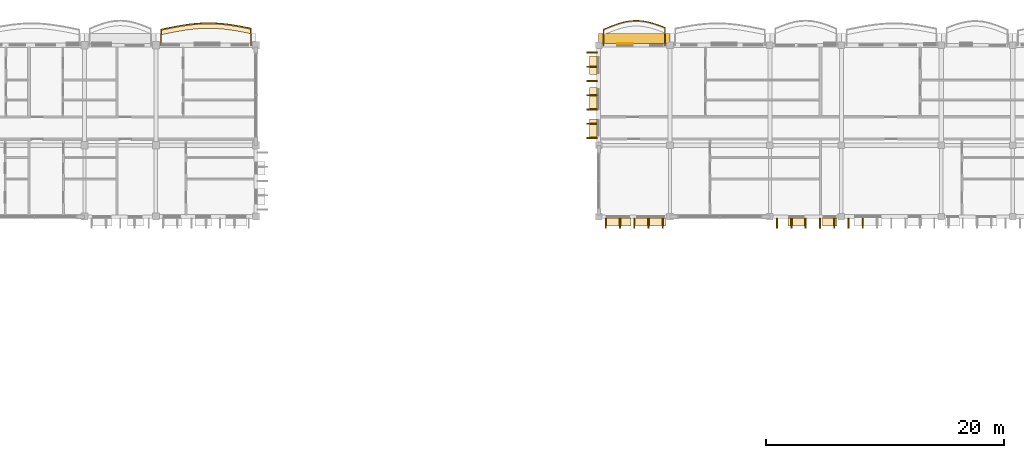
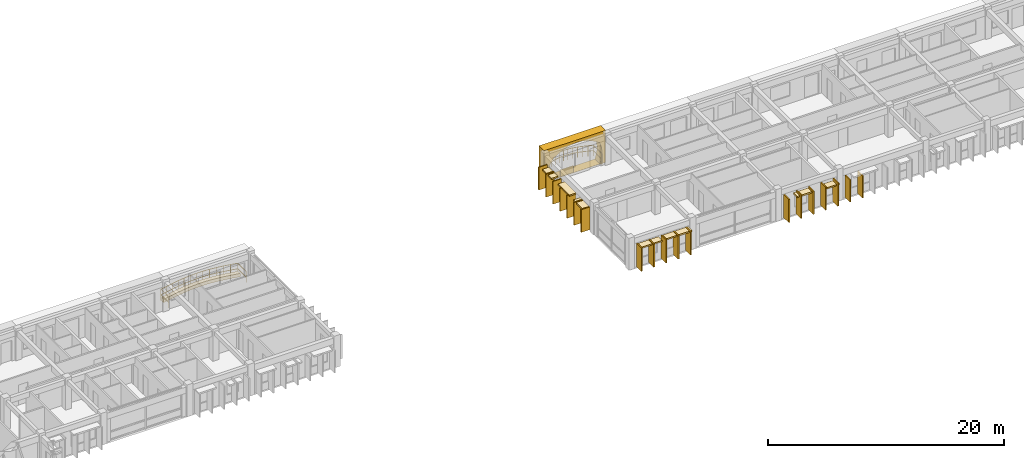
# One storey, part 57 of 68: 29 coverings, 2 railings.
"""IFC4 building model written with IfcOpenShell, lengths in metres."""

import ifcopenshell
import ifcopenshell.guid

model = None  # the IFC model being written
_history = None  # IfcOwnerHistory: only IFC2X3 demands one
_inside = {}  # id of a spatial element -> (the spatial element, [elements in it])
_under = {}  # id of a project, library or spatial element -> (it, [spatial elements below it])
_declared = {}  # id of a project -> (the project, [libraries it declares])
_typed = {}  # id of a type object -> (the type object, [elements of that type])
_made_of = {}  # id of a material, layer set ... -> (it, [elements and type objects made of it])


def new_model(schema):
    """Start an empty IFC model of exactly this schema.

    Asked for "IFC4X3", IfcOpenShell would pick the latest addendum, in which some entities
    have other attributes; the version numbers below select the first issue.
    IFC2X3 requires an IfcOwnerHistory on every rooted entity: one is made here for all.
    """
    global model, _history
    if schema == "IFC4X3":
        model = ifcopenshell.file(schema_version=(4, 3, 0, 0))
    else:
        model = ifcopenshell.file(schema=schema)
    _inside.clear()
    _under.clear()
    _declared.clear()
    _typed.clear()
    _made_of.clear()
    _history = None
    if model.schema == "IFC2X3":
        org = make("IfcOrganization", Name="unknown")
        user = make(
            "IfcPersonAndOrganization",
            ThePerson=make("IfcPerson", FamilyName="unknown"),
            TheOrganization=org,
        )
        app = make(
            "IfcApplication",
            ApplicationDeveloper=org,
            Version="unknown",
            ApplicationFullName="unknown",
            ApplicationIdentifier="unknown",
        )
        _history = make(
            "IfcOwnerHistory",
            OwningUser=user,
            OwningApplication=app,
            ChangeAction="ADDED",
            CreationDate=0,
        )
    return model


def make(cls, **values):
    """One entity of the class cls with the attributes given. An attribute that is None is left unset."""
    return model.create_entity(
        cls, **{name: value for name, value in values.items() if value is not None}
    )


def rooted(cls, **values):
    """An entity with a GlobalId (a new one), such as an element, a storey or a relation."""
    return make(cls, GlobalId=ifcopenshell.guid.new(), OwnerHistory=_history, **values)


def si_unit(unit_type, name, prefix=None):
    """IfcSIUnit, for example si_unit("LENGTHUNIT", "METRE", prefix="MILLI")."""
    return make("IfcSIUnit", UnitType=unit_type, Prefix=prefix, Name=name)


def assignment(units):
    """IfcUnitAssignment: the units of a project."""
    return None if units is None else make("IfcUnitAssignment", Units=units)


def point(xyz):
    """IfcCartesianPoint."""
    return None if xyz is None else make("IfcCartesianPoint", Coordinates=xyz)


def direction(xyz):
    """IfcDirection."""
    return None if xyz is None else make("IfcDirection", DirectionRatios=xyz)


def frame(location, z_axis=None, x_axis=None):
    """IfcAxis2Placement3D, a coordinate frame: its origin and axes. An axis left out is left unset."""
    return make(
        "IfcAxis2Placement3D",
        Location=point(location),
        Axis=direction(z_axis),
        RefDirection=direction(x_axis),
    )


def frame_2d(location, x_axis=None):
    """IfcAxis2Placement2D, a coordinate frame in the plane: its origin and x axis."""
    return make(
        "IfcAxis2Placement2D", Location=point(location), RefDirection=direction(x_axis)
    )


def origin():
    """The frame at (0, 0, 0) with its axes left unset."""
    return frame((0.0, 0.0, 0.0))


def origin_2d():
    """The frame at (0, 0) in the plane with its x axis left unset."""
    return frame_2d((0.0, 0.0))


def place(relative_to, where):
    """IfcLocalPlacement: puts the frame where relative to a parent placement (None: the world)."""
    return make(
        "IfcLocalPlacement", PlacementRelTo=relative_to, RelativePlacement=where
    )


def context(
    kind, dimensions, precision=None, world=None, true_north=None, identifier=None
):
    """IfcGeometricRepresentationContext, for example the 3D "Model" context."""
    return make(
        "IfcGeometricRepresentationContext",
        ContextIdentifier=identifier,
        ContextType=kind,
        CoordinateSpaceDimension=dimensions,
        Precision=precision,
        WorldCoordinateSystem=world,
        TrueNorth=true_north,
    )


def subcontext(parent, identifier, kind, view, scale=None):
    """IfcGeometricRepresentationSubContext, for example "Body" below "Model"."""
    return make(
        "IfcGeometricRepresentationSubContext",
        ContextIdentifier=identifier,
        ContextType=kind,
        ParentContext=parent,
        TargetScale=scale,
        TargetView=view,
    )


def project(units=None, contexts=None):
    """IfcProject with its units and contexts."""
    return rooted(
        "IfcProject",
        Name="project",
        RepresentationContexts=contexts,
        UnitsInContext=assignment(units),
    )


def spatial(cls, under=None, at=None, **own):
    """A site, building, storey or space (cls), placed at a placement, below another one or the project."""
    s = rooted(cls, ObjectPlacement=at, **own)
    if under is not None:
        _under.setdefault(under.id(), (under, []))[1].append(s)
    return s


def polyline(points):
    """IfcPolyline through the points."""
    return make("IfcPolyline", Points=[point(p) for p in points])


def profile(cls, at=None, kind="AREA", **sizes):
    """A parametric profile (cls). Its sizes go by their IFC names, for example OverallWidth=200.0."""
    return make(cls, ProfileType=kind, Position=at, **sizes)


def rectangle(**sizes):
    """IfcRectangleProfileDef."""
    return profile("IfcRectangleProfileDef", **sizes)


def outline(outer, holes=None, kind="AREA"):
    """IfcArbitraryClosedProfileDef: a profile drawn as a closed curve; with holes, ...WithVoids."""
    if holes is None:
        return make("IfcArbitraryClosedProfileDef", ProfileType=kind, OuterCurve=outer)
    return make(
        "IfcArbitraryProfileDefWithVoids",
        ProfileType=kind,
        OuterCurve=outer,
        InnerCurves=holes,
    )


def extrude(swept, where, along, depth):
    """IfcExtrudedAreaSolid: the profile swept, set in the frame where, extruded along a direction by depth."""
    return make(
        "IfcExtrudedAreaSolid",
        SweptArea=swept,
        Position=where,
        ExtrudedDirection=direction(along),
        Depth=depth,
    )


def shape(context_of_items, identifier, shape_type, items):
    """IfcShapeRepresentation: the items that make up one representation, for example the "Body"."""
    return make(
        "IfcShapeRepresentation",
        ContextOfItems=context_of_items,
        RepresentationIdentifier=identifier,
        RepresentationType=shape_type,
        Items=items,
    )


def material(Name=None, Category=None):
    """IfcMaterial."""
    return make("IfcMaterial", Name=Name, Category=Category)


def layer(
    of_material, thickness, ventilated=None, Name=None, Category=None, Priority=None
):
    """IfcMaterialLayer: one layer of a wall or slab, of a material (None: an air gap)."""
    return make(
        "IfcMaterialLayer",
        Material=of_material,
        LayerThickness=thickness,
        IsVentilated=ventilated,
        Name=Name,
        Category=Category,
        Priority=Priority,
    )


def layer_set(layers, Name=None):
    """IfcMaterialLayerSet."""
    return make("IfcMaterialLayerSet", MaterialLayers=layers, LayerSetName=Name)


def made_of(thing, what):
    """Note that an element or type object is made of a material, layer set ...; save() writes the relation."""
    if what is not None:
        _made_of.setdefault(what.id(), (what, []))[1].append(thing)
    return thing


def type_object(cls, material=None, **own):
    """A type object (cls), such as IfcWallType, which elements share."""
    return made_of(rooted(cls, **own), material)


def element(
    cls,
    number,
    at=None,
    inside=None,
    cuts=None,
    type_object=None,
    material=None,
    context=None,
    identifier="Body",
    shape_type=None,
    held_by="IfcProductDefinitionShape",
    body=None,
    shapes=None,
    **own,
):
    """One element of the class cls, such as IfcWall. Its Tag is "e" and its number.

    at: its placement. inside: the storey or other place that contains it. cuts: it is an
    opening in that element (IfcRelVoidsElement). A single representation is given by context,
    identifier, shape_type and body (its items); several are given by shapes. held_by: the class
    of the entity that holds the representations. save() writes the other relations.
    """
    e = rooted(cls, Tag="e%d" % number, ObjectPlacement=at, **own)
    if body is not None:
        shapes = [shape(context, identifier, shape_type, body)]
    if shapes is not None:
        e.Representation = make(held_by, Representations=shapes)
    if inside is not None:
        _inside.setdefault(inside.id(), (inside, []))[1].append(e)
    if cuts is not None:
        rooted(
            "IfcRelVoidsElement", RelatingBuildingElement=cuts, RelatedOpeningElement=e
        )
    if type_object is not None:
        _typed.setdefault(type_object.id(), (type_object, []))[1].append(e)
    return made_of(e, material)


def aggregate(whole, parts):
    """IfcRelAggregates: a whole, such as a stair, and the parts it consists of."""
    return rooted("IfcRelAggregates", RelatingObject=whole, RelatedObjects=parts)


def save(model, path):
    """Write the relations noted so far, then the file.

    IfcRelAggregates (storeys below a building ...), IfcRelContainedInSpatialStructure (elements
    in a storey), IfcRelDefinesByType, IfcRelAssociatesMaterial and IfcRelDeclares: one each for
    every whole, place, type object, material and project.
    """
    for whole, parts in _under.values():
        aggregate(whole, parts)
    for where, things in _inside.values():
        rooted(
            "IfcRelContainedInSpatialStructure",
            RelatedElements=things,
            RelatingStructure=where,
        )
    for kind, things in _typed.values():
        rooted("IfcRelDefinesByType", RelatedObjects=things, RelatingType=kind)
    for what, things in _made_of.values():
        rooted("IfcRelAssociatesMaterial", RelatedObjects=things, RelatingMaterial=what)
    for by, libraries in _declared.values():
        rooted("IfcRelDeclares", RelatingContext=by, RelatedDefinitions=libraries)
    model.write(path)


model = new_model("IFC4")

# Units and contexts
model_context = context("Model", 3, precision=1e-05, world=origin(), true_north=direction((0.0, 1.0)))
body_context = subcontext(model_context, "Body", "Model", "MODEL_VIEW")
ifc_project = project(units=[si_unit("LENGTHUNIT", "METRE"), si_unit("AREAUNIT", "SQUARE_METRE"), si_unit("VOLUMEUNIT", "CUBIC_METRE"), si_unit("PLANEANGLEUNIT", "RADIAN"), si_unit("MASSUNIT", "GRAM", prefix="KILO"), si_unit("THERMODYNAMICTEMPERATUREUNIT", "KELVIN")], contexts=[model_context])

# Site, building, storey
site_placement = place(None, origin())
site = spatial("IfcSite", under=ifc_project, at=site_placement, CompositionType="ELEMENT")
building_placement = place(site_placement, origin())
building = spatial("IfcBuilding", under=site, at=building_placement, Name="Thalorik Housing Commons", CompositionType="ELEMENT")
storey_placement = place(building_placement, frame((0.0, 0.0, 24.60009765625)))
storey = spatial("IfcBuildingStorey", under=building, at=storey_placement, Name="L07", CompositionType="ELEMENT", Elevation=24.60009765625)

# Coverings
ifc_material_1 = material(Name="Precast concrete C40/50", Category="concrete")
ifc_layer_1 = layer(ifc_material_1, 0.85009765625, Name="Precast concrete C40/50", Category="concrete")
ifc_layer_set_1 = layer_set([ifc_layer_1], Name="Precast concrete C40/50")
covering_type_1 = type_object("IfcCoveringType", Name="ARC-CLD-CUSH-850", PredefinedType="CLADDING", material=ifc_layer_set_1)
covering_1_placement = place(storey_placement, frame((83.39990234375, 124.155029296875, 0.0), z_axis=(0.0, 0.0, 1.0), x_axis=(-1.0, 0.0, 0.0)))
element("IfcCovering", 1, at=covering_1_placement, inside=storey, type_object=covering_type_1, Name="L07 White Precast Curved Cushion Bay Frame 2577", PredefinedType="CLADDING", context=body_context, shape_type="SweptSolid", body=[
    extrude(outline(polyline([(-3.0, 0.0), (3.0, 0.0), (3.0, 3.300048828125), (-3.0, 3.300048828125), (-3.0, 0.0)]), holes=[polyline([(2.0400390625, 0.02490234375), (2.3232421875, 0.390869140625), (2.493408203125, 0.756591796875), (2.550048828125, 1.12255859375), (2.493408203125, 1.48828125), (2.3232421875, 1.854248046875), (2.0400390625, 2.219970703125), (1.66748046875, 2.469482421875), (1.294921875, 2.66552734375), (0.922607421875, 2.824462890625), (0.550048828125, 2.9423828125), (0.177490234375, 3.015380859375), (-0.195068359375, 3.0400390625), (-0.5673828125, 3.015380859375), (-0.93994140625, 2.9423828125), (-1.3125, 2.824462890625), (-1.68505859375, 2.66552734375), (-2.0576171875, 2.469482421875), (-2.429931640625, 2.219970703125), (-2.55029296875, 1.854248046875), (-2.62255859375, 1.48828125), (-2.646484375, 1.12255859375), (-2.62255859375, 0.756591796875), (-2.55029296875, 0.390869140625), (-2.429931640625, 0.02490234375), (2.0400390625, 0.02490234375)])]), frame((0.0, 0.425048828125, 0.0), z_axis=(0.0, -1.0, 0.0), x_axis=(1.0, 0.0, 0.0)), (0.0, 0.0, 1.0), 0.85009765625),
])
ifc_layer_2 = layer(ifc_material_1, 0.85009765625, Name="Precast concrete C40/50", Category="concrete")
ifc_layer_set_2 = layer_set([ifc_layer_2], Name="Precast concrete C40/50")
covering_type_2 = type_object("IfcCoveringType", Name="ARC-CLD-FIN-850", PredefinedType="CLADDING", material=ifc_layer_set_2)
for number, where, z_axis, x_axis, name in (
    (2, (79.844970703125, 123.0, 0.0400390625), (0.0, 0.0, 1.0), (0.0, -1.0, 0.0), "L07 Courtyard Precast Vertical Brise-Soleil Fin 2579"),
    (3, (79.844970703125, 121.800048828125, 0.0400390625), (0.0, 0.0, 1.0), (0.0, -1.0, 0.0), "L07 Courtyard Precast Vertical Brise-Soleil Fin 2580"),
    (4, (79.844970703125, 120.60009765625, 0.0400390625), (0.0, 0.0, 1.0), (0.0, -1.0, 0.0), "L07 Courtyard Precast Vertical Brise-Soleil Fin 2581"),
    (5, (79.844970703125, 119.39990234375, 0.0400390625), (0.0, 0.0, 1.0), (0.0, -1.0, 0.0), "L07 Courtyard Precast Vertical Brise-Soleil Fin 2582"),
    (6, (79.844970703125, 118.199951171875, 0.0400390625), (0.0, 0.0, 1.0), (0.0, -1.0, 0.0), "L07 Courtyard Precast Vertical Brise-Soleil Fin 2583"),
    (7, (79.844970703125, 117.0, 0.0400390625), (0.0, 0.0, 1.0), (0.0, -1.0, 0.0), "L07 Courtyard Precast Vertical Brise-Soleil Fin 2584"),
    (8, (79.844970703125, 115.800048828125, 0.0400390625), (0.0, 0.0, 1.0), (0.0, -1.0, 0.0), "L07 Courtyard Precast Vertical Brise-Soleil Fin 2585"),
):
    element("IfcCovering", number, at=place(storey_placement, frame(where, z_axis=z_axis, x_axis=x_axis)), inside=storey, type_object=covering_type_2, Name=name, PredefinedType="CLADDING", context=body_context, shape_type="SweptSolid", body=[
        extrude(rectangle(XDim=0.110107421875, YDim=0.85009765625, at=origin_2d()), origin(), (0.0, 0.0, 1.0), 2.344970703125),
    ])
for number, where, z_axis, x_axis, name in (
    (9, (81.0, 108.64501953125, 0.039794921875), (0.0, 0.0, 1.0), (1.0, 0.0, 0.0), "L07 Courtyard Precast Vertical Brise-Soleil Fin 2589"),
    (10, (82.199951171875, 108.64501953125, 0.039794921875), (0.0, 0.0, 1.0), (1.0, 0.0, 0.0), "L07 Courtyard Precast Vertical Brise-Soleil Fin 2590"),
    (11, (83.39990234375, 108.64501953125, 0.039794921875), (0.0, 0.0, 1.0), (1.0, 0.0, 0.0), "L07 Courtyard Precast Vertical Brise-Soleil Fin 2591"),
    (12, (84.60009765625, 108.64501953125, 0.039794921875), (0.0, 0.0, 1.0), (1.0, 0.0, 0.0), "L07 Courtyard Precast Vertical Brise-Soleil Fin 2592"),
    (13, (85.800048828125, 108.64501953125, 0.039794921875), (0.0, 0.0, 1.0), (1.0, 0.0, 0.0), "L07 Courtyard Precast Vertical Brise-Soleil Fin 2593"),
    (14, (95.39990234375, 108.64501953125, 0.039794921875), (0.0, 0.0, 1.0), (1.0, 0.0, 0.0), "L07 Courtyard Precast Vertical Brise-Soleil Fin 2596"),
    (15, (96.60009765625, 108.64501953125, 0.039794921875), (0.0, 0.0, 1.0), (1.0, 0.0, 0.0), "L07 Courtyard Precast Vertical Brise-Soleil Fin 2597"),
    (16, (97.800048828125, 108.64501953125, 0.039794921875), (0.0, 0.0, 1.0), (1.0, 0.0, 0.0), "L07 Courtyard Precast Vertical Brise-Soleil Fin 2598"),
    (17, (99.0, 108.64501953125, 0.039794921875), (0.0, 0.0, 1.0), (1.0, 0.0, 0.0), "L07 Courtyard Precast Vertical Brise-Soleil Fin 2599"),
    (18, (100.199951171875, 108.64501953125, 0.039794921875), (0.0, 0.0, 1.0), (1.0, 0.0, 0.0), "L07 Courtyard Precast Vertical Brise-Soleil Fin 2600"),
):
    element("IfcCovering", number, at=place(storey_placement, frame(where, z_axis=z_axis, x_axis=x_axis)), inside=storey, type_object=covering_type_2, Name=name, PredefinedType="CLADDING", context=body_context, shape_type="SweptSolid", body=[
        extrude(rectangle(XDim=0.110107421875, YDim=0.85009765625, at=origin_2d()), origin(), (0.0, 0.0, 1.0), 2.39501953125),
    ])
for number, where, z_axis, x_axis, name in (
    (19, (101.39990234375, 108.64501953125, 0.0400390625), (0.0, 0.0, 1.0), (1.0, 0.0, 0.0), "L07 Courtyard Precast Vertical Brise-Soleil Fin 2603"),
    (20, (102.60009765625, 108.64501953125, 0.0400390625), (0.0, 0.0, 1.0), (1.0, 0.0, 0.0), "L07 Courtyard Precast Vertical Brise-Soleil Fin 2604"),
):
    element("IfcCovering", number, at=place(storey_placement, frame(where, z_axis=z_axis, x_axis=x_axis)), inside=storey, type_object=covering_type_2, Name=name, PredefinedType="CLADDING", context=body_context, shape_type="SweptSolid", body=[
        extrude(rectangle(XDim=0.110107421875, YDim=0.85009765625, at=origin_2d()), origin(), (0.0, 0.0, 1.0), 2.294921875),
    ])
ifc_layer_3 = layer(ifc_material_1, 0.64990234375, Name="Precast concrete C40/50", Category="concrete")
ifc_layer_set_3 = layer_set([ifc_layer_3], Name="Precast concrete C40/50")
covering_type_3 = type_object("IfcCoveringType", Name="ARC-CLD-HOOD-650", PredefinedType="CLADDING", material=ifc_layer_set_3)
covering_2_placement = place(storey_placement, frame((79.945068359375, 121.91748046875, 2.14013671875), z_axis=(0.0, 0.0, 1.0), x_axis=(0.0, -1.0, 0.0)))
element("IfcCovering", 21, at=covering_2_placement, inside=storey, type_object=covering_type_3, Name="L07 Courtyard Precast Window Sun-Hood 2586", PredefinedType="CLADDING", context=body_context, shape_type="SweptSolid", body=[
    extrude(rectangle(XDim=1.56005859375, YDim=0.64990234375, at=origin_2d()), origin(), (0.0, 0.0, 1.0), 0.139892578125),
])
covering_3_placement = place(storey_placement, frame((79.945068359375, 119.072509765625, 2.25), z_axis=(0.0, 0.0, 1.0), x_axis=(0.0, -1.0, 0.0)))
element("IfcCovering", 22, at=covering_3_placement, inside=storey, type_object=covering_type_3, Name="L07 Courtyard Precast Window Sun-Hood 2587", PredefinedType="CLADDING", context=body_context, shape_type="SweptSolid", body=[
    extrude(rectangle(XDim=1.919921875, YDim=0.64990234375, at=origin_2d()), origin(), (0.0, 0.0, 1.0), 0.139892578125),
])
covering_4_placement = place(storey_placement, frame((79.945068359375, 116.64990234375, 2.18994140625), z_axis=(0.0, 0.0, 1.0), x_axis=(0.0, -1.0, 0.0)))
element("IfcCovering", 23, at=covering_4_placement, inside=storey, type_object=covering_type_3, Name="L07 Courtyard Precast Window Sun-Hood 2588", PredefinedType="CLADDING", context=body_context, shape_type="SweptSolid", body=[
    extrude(rectangle(XDim=1.5400390625, YDim=0.64990234375, at=origin_2d()), origin(), (0.0, 0.0, 1.0), 0.139892578125),
])
covering_5_placement = place(storey_placement, frame((82.030029296875, 108.7451171875, 2.22998046875), z_axis=(0.0, 0.0, 1.0), x_axis=(1.0, 0.0, 0.0)))
element("IfcCovering", 24, at=covering_5_placement, inside=storey, type_object=covering_type_3, Name="L07 Courtyard Precast Window Sun-Hood 2594", PredefinedType="CLADDING", context=body_context, shape_type="SweptSolid", body=[
    extrude(rectangle(XDim=2.159912109375, YDim=0.64990234375, at=origin_2d()), origin(), (0.0, 0.0, 1.0), 0.139892578125),
])
covering_6_placement = place(storey_placement, frame((84.77001953125, 108.7451171875, 2.25), z_axis=(0.0, 0.0, 1.0), x_axis=(1.0, 0.0, 0.0)))
element("IfcCovering", 25, at=covering_6_placement, inside=storey, type_object=covering_type_3, Name="L07 Courtyard Precast Window Sun-Hood 2595", PredefinedType="CLADDING", context=body_context, shape_type="SweptSolid", body=[
    extrude(rectangle(XDim=2.52001953125, YDim=0.64990234375, at=origin_2d()), origin(), (0.0, 0.0, 1.0), 0.139892578125),
])
covering_7_placement = place(storey_placement, frame((97.02001953125, 108.7451171875, 2.14013671875), z_axis=(0.0, 0.0, 1.0), x_axis=(1.0, 0.0, 0.0)))
element("IfcCovering", 26, at=covering_7_placement, inside=storey, type_object=covering_type_3, Name="L07 Courtyard Precast Window Sun-Hood 2601", PredefinedType="CLADDING", context=body_context, shape_type="SweptSolid", body=[
    extrude(rectangle(XDim=1.43994140625, YDim=0.64990234375, at=origin_2d()), origin(), (0.0, 0.0, 1.0), 0.139892578125),
])
covering_8_placement = place(storey_placement, frame((99.830078125, 108.7451171875, 2.0400390625), z_axis=(0.0, 0.0, 1.0), x_axis=(1.0, 0.0, 0.0)))
element("IfcCovering", 27, at=covering_8_placement, inside=storey, type_object=covering_type_3, Name="L07 Courtyard Precast Window Sun-Hood 2602", PredefinedType="CLADDING", context=body_context, shape_type="SweptSolid", body=[
    extrude(rectangle(XDim=1.239990234375, YDim=0.64990234375, at=origin_2d()), origin(), (0.0, 0.0, 1.0), 0.139892578125),
])
ifc_material_2 = material(Name="Terracotta red mineral fibre-cement panel", Category="masonry")
ifc_layer_4 = layer(ifc_material_2, 0.054931640625, Name="Terracotta red mineral fibre-cement panel", Category="masonry")
ifc_layer_set_4 = layer_set([ifc_layer_4], Name="Terracotta red mineral fibre-cement panel")
covering_type_4 = type_object("IfcCoveringType", Name="ARC-CLD-RED-55", PredefinedType="CLADDING", material=ifc_layer_set_4)
covering_9_placement = place(storey_placement, frame((82.635009765625, 123.762451171875, 0.0498046875), z_axis=(0.0, 0.0, 1.0), x_axis=(-1.0, 0.0, 0.0)))
element("IfcCovering", 28, at=covering_9_placement, inside=storey, type_object=covering_type_4, Name="L07 De Stijl Recessed Window Spandrel 2578", PredefinedType="CLADDING", context=body_context, shape_type="SweptSolid", body=[
    extrude(rectangle(XDim=1.300048828125, YDim=0.054931640625, at=origin_2d()), origin(), (0.0, 0.0, 1.0), 0.699951171875),
])
ifc_material_3 = material(Name="Planted vegetated substrate and terracotta trough", Category="masonry")
ifc_layer_5 = layer(ifc_material_3, 0.340087890625, Name="Planted vegetated substrate and terracotta trough", Category="masonry")
ifc_layer_set_5 = layer_set([ifc_layer_5], Name="Planted vegetated substrate and terracotta trough")
covering_type_5 = type_object("IfcCoveringType", Name="ARC-COV-PLANTER", PredefinedType="USERDEFINED", material=ifc_layer_set_5)
covering_10_placement = place(storey_placement, origin())
element("IfcCovering", 29, at=covering_10_placement, inside=storey, type_object=covering_type_5, Name="L07 Balcony Slab-Edge Planted Trough 5367", ObjectType="PLANTER", PredefinedType="USERDEFINED", context=body_context, shape_type="SweptSolid", body=[
    extrude(outline(polyline([(51.179931640625, 124.952880859375), (50.550048828125, 125.08056640625), (49.919921875, 125.19580078125), (49.2900390625, 125.29052734375), (48.659912109375, 125.359130859375), (48.030029296875, 125.396728515625), (47.39990234375, 125.401123046875), (46.77001953125, 125.3720703125), (46.139892578125, 125.3115234375), (45.510009765625, 125.2236328125), (44.8798828125, 125.114501953125), (44.25, 124.9912109375), (43.6201171875, 124.8623046875), (43.6201171875, 124.482177734375), (44.25, 124.611328125), (44.8798828125, 124.734619140625), (45.510009765625, 124.84375), (46.139892578125, 124.931396484375), (46.77001953125, 124.991943359375), (47.39990234375, 125.02099609375), (48.030029296875, 125.0166015625), (48.659912109375, 124.97900390625), (49.2900390625, 124.91064453125), (49.919921875, 124.815673828125), (50.550048828125, 124.70068359375), (51.179931640625, 124.572998046875), (51.179931640625, 124.952880859375)])), origin(), (0.0, 0.0, 1.0), 0.33984375),
])

# Railings
ifc_material_4 = material(Name="Steel S355", Category="steel")
railing_type_1 = type_object("IfcRailingType", Name="ARC-RL-BAL-112", PredefinedType="BALUSTRADE", material=ifc_material_4)
railing_1_placement = place(storey_placement, frame((85.97998046875, 123.60009765625, 0.0)))
element("IfcRailing", 30, at=railing_1_placement, inside=storey, type_object=railing_type_1, Name="L07 Cushion Balcony Guardrail 186", PredefinedType="BALUSTRADE", context=body_context, shape_type="SweptSolid", body=[
    extrude(rectangle(XDim=0.050048828125, YDim=0.050048828125, at=origin_2d()), frame((0.0, 0.0, 1.09521484375), z_axis=(0.0, 1.0, 0.0), x_axis=(-1.0, 0.0, 0.0)), (0.0, 0.0, 1.0), 1.481201171875),
    extrude(rectangle(XDim=0.050048828125, YDim=0.050048828125, at=origin_2d()), frame((0.0, 0.0, 0.53515625), z_axis=(0.0, 1.0, 0.0), x_axis=(-1.0, 0.0, 0.0)), (0.0, 0.0, 1.0), 1.481201171875),
    extrude(rectangle(XDim=0.050048828125, YDim=0.050048828125, at=origin_2d()), frame((0.0, 1.481201171875, 1.09521484375), z_axis=(-0.934462513902, 0.35606152574, 0.0), x_axis=(-0.35606152574, -0.934462513902, 0.0)), (0.0, 0.0, 1.0), 0.460205078125),
    extrude(rectangle(XDim=0.050048828125, YDim=0.050048828125, at=origin_2d()), frame((0.0, 1.481201171875, 0.53515625), z_axis=(-0.934462513902, 0.35606152574, 0.0), x_axis=(-0.35606152574, -0.934462513902, 0.0)), (0.0, 0.0, 1.0), 0.460205078125),
    extrude(rectangle(XDim=0.050048828125, YDim=0.050048828125, at=origin_2d()), frame((-0.429931640625, 1.64501953125, 1.09521484375), z_axis=(-0.945081740918, 0.326834060317, 0.0), x_axis=(-0.326834060317, -0.945081740918, 0.0)), (0.0, 0.0, 1.0), 0.454833984375),
    extrude(rectangle(XDim=0.050048828125, YDim=0.050048828125, at=origin_2d()), frame((-0.429931640625, 1.64501953125, 0.53515625), z_axis=(-0.945081740918, 0.326834060317, 0.0), x_axis=(-0.326834060317, -0.945081740918, 0.0)), (0.0, 0.0, 1.0), 0.454833984375),
    extrude(rectangle(XDim=0.050048828125, YDim=0.050048828125, at=origin_2d()), frame((-0.85986328125, 1.793701171875, 1.09521484375), z_axis=(-0.960862679693, 0.277025108561, 0.0), x_axis=(-0.277025108561, -0.960862679693, 0.0)), (0.0, 0.0, 1.0), 0.44775390625),
    extrude(rectangle(XDim=0.050048828125, YDim=0.050048828125, at=origin_2d()), frame((-0.85986328125, 1.793701171875, 0.53515625), z_axis=(-0.960862679693, 0.277025108561, 0.0), x_axis=(-0.277025108561, -0.960862679693, 0.0)), (0.0, 0.0, 1.0), 0.44775390625),
    extrude(rectangle(XDim=0.050048828125, YDim=0.050048828125, at=origin_2d()), frame((-1.2900390625, 1.917724609375, 1.09521484375), z_axis=(-0.978632254484, 0.205618361249, 0.0), x_axis=(-0.205618361249, -0.978632254484, 0.0)), (0.0, 0.0, 1.0), 0.439208984375),
    extrude(rectangle(XDim=0.050048828125, YDim=0.050048828125, at=origin_2d()), frame((-1.2900390625, 1.917724609375, 0.53515625), z_axis=(-0.978632254484, 0.205618361249, 0.0), x_axis=(-0.205618361249, -0.978632254484, 0.0)), (0.0, 0.0, 1.0), 0.439208984375),
    extrude(rectangle(XDim=0.050048828125, YDim=0.050048828125, at=origin_2d()), frame((-1.719970703125, 2.008056640625, 1.09521484375), z_axis=(-0.99322738707, 0.116186735796, 0.0), x_axis=(-0.116186735796, -0.99322738707, 0.0)), (0.0, 0.0, 1.0), 0.432861328125),
    extrude(rectangle(XDim=0.050048828125, YDim=0.050048828125, at=origin_2d()), frame((-1.719970703125, 2.008056640625, 0.53515625), z_axis=(-0.99322738707, 0.116186735796, 0.0), x_axis=(-0.116186735796, -0.99322738707, 0.0)), (0.0, 0.0, 1.0), 0.432861328125),
    extrude(rectangle(XDim=0.050048828125, YDim=0.050048828125, at=origin_2d()), frame((-2.14990234375, 2.058349609375, 1.09521484375), z_axis=(-0.999882615907, 0.015321697293, 0.0), x_axis=(-0.015321697293, -0.999882615907, 0.0)), (0.0, 0.0, 1.0), 0.43017578125),
    extrude(rectangle(XDim=0.050048828125, YDim=0.050048828125, at=origin_2d()), frame((-2.14990234375, 2.058349609375, 0.53515625), z_axis=(-0.999882615907, 0.015321697293, 0.0), x_axis=(-0.015321697293, -0.999882615907, 0.0)), (0.0, 0.0, 1.0), 0.43017578125),
    extrude(rectangle(XDim=0.050048828125, YDim=0.050048828125, at=origin_2d()), frame((-2.580078125, 2.06494140625, 1.09521484375), z_axis=(-0.996148763572, -0.087679192705, 0.0), x_axis=(0.087679192705, -0.996148763572, 0.0)), (0.0, 0.0, 1.0), 0.431640625),
    extrude(rectangle(XDim=0.050048828125, YDim=0.050048828125, at=origin_2d()), frame((-2.580078125, 2.06494140625, 0.53515625), z_axis=(-0.996148763572, -0.087679192705, 0.0), x_axis=(0.087679192705, -0.996148763572, 0.0)), (0.0, 0.0, 1.0), 0.431640625),
    extrude(rectangle(XDim=0.050048828125, YDim=0.050048828125, at=origin_2d()), frame((-3.010009765625, 2.027099609375, 1.09521484375), z_axis=(-0.982789955867, -0.184726561835, 0.0), x_axis=(0.184726561835, -0.982789955867, 0.0)), (0.0, 0.0, 1.0), 0.4375),
    extrude(rectangle(XDim=0.050048828125, YDim=0.050048828125, at=origin_2d()), frame((-3.010009765625, 2.027099609375, 0.53515625), z_axis=(-0.982789955867, -0.184726561835, 0.0), x_axis=(0.184726561835, -0.982789955867, 0.0)), (0.0, 0.0, 1.0), 0.4375),
    extrude(rectangle(XDim=0.050048828125, YDim=0.050048828125, at=origin_2d()), frame((-3.43994140625, 1.9462890625, 1.09521484375), z_axis=(-0.964103843637, -0.265525476527, 0.0), x_axis=(0.265525476527, -0.964103843637, 0.0)), (0.0, 0.0, 1.0), 0.446044921875),
    extrude(rectangle(XDim=0.050048828125, YDim=0.050048828125, at=origin_2d()), frame((-3.43994140625, 1.9462890625, 0.53515625), z_axis=(-0.964103843637, -0.265525476527, 0.0), x_axis=(0.265525476527, -0.964103843637, 0.0)), (0.0, 0.0, 1.0), 0.446044921875),
    extrude(rectangle(XDim=0.050048828125, YDim=0.050048828125, at=origin_2d()), frame((-3.869873046875, 1.827880859375, 1.09521484375), z_axis=(-0.945139025047, -0.326668369043, 0.0), x_axis=(0.326668369043, -0.945139025047, 0.0)), (0.0, 0.0, 1.0), 0.455078125),
    extrude(rectangle(XDim=0.050048828125, YDim=0.050048828125, at=origin_2d()), frame((-3.869873046875, 1.827880859375, 0.53515625), z_axis=(-0.945139025047, -0.326668369043, 0.0), x_axis=(0.326668369043, -0.945139025047, 0.0)), (0.0, 0.0, 1.0), 0.455078125),
    extrude(rectangle(XDim=0.050048828125, YDim=0.050048828125, at=origin_2d()), frame((-4.300048828125, 1.67919921875, 1.09521484375), z_axis=(-0.929998507848, -0.367563294414, 0.0), x_axis=(0.367563294414, -0.929998507848, 0.0)), (0.0, 0.0, 1.0), 0.46240234375),
    extrude(rectangle(XDim=0.050048828125, YDim=0.050048828125, at=origin_2d()), frame((-4.300048828125, 1.67919921875, 0.53515625), z_axis=(-0.929998507848, -0.367563294414, 0.0), x_axis=(0.367563294414, -0.929998507848, 0.0)), (0.0, 0.0, 1.0), 0.46240234375),
    extrude(rectangle(XDim=0.050048828125, YDim=0.050048828125, at=origin_2d()), frame((-4.72998046875, 1.50927734375, 1.09521484375), z_axis=(-0.922284734459, -0.386511149365, 0.0), x_axis=(0.386511149365, -0.922284734459, 0.0)), (0.0, 0.0, 1.0), 0.466064453125),
    extrude(rectangle(XDim=0.050048828125, YDim=0.050048828125, at=origin_2d()), frame((-4.72998046875, 1.50927734375, 0.53515625), z_axis=(-0.922284734459, -0.386511149365, 0.0), x_axis=(0.386511149365, -0.922284734459, 0.0)), (0.0, 0.0, 1.0), 0.466064453125),
    extrude(rectangle(XDim=0.050048828125, YDim=0.050048828125, at=origin_2d()), frame((-5.159912109375, 1.3291015625, 1.09521484375), z_axis=(0.0, -1.0, 0.0), x_axis=(1.0, 0.0, 0.0)), (0.0, 0.0, 1.0), 1.3291015625),
    extrude(rectangle(XDim=0.050048828125, YDim=0.050048828125, at=origin_2d()), frame((-5.159912109375, 1.3291015625, 0.53515625), z_axis=(0.0, -1.0, 0.0), x_axis=(1.0, 0.0, 0.0)), (0.0, 0.0, 1.0), 1.3291015625),
    extrude(rectangle(XDim=0.0419921875, YDim=0.0419921875, at=origin_2d()), origin(), (0.0, 0.0, 1.0), 1.070068359375),
    extrude(rectangle(XDim=0.0419921875, YDim=0.0419921875, at=origin_2d()), frame((0.0, 1.481201171875, 0.0)), (0.0, 0.0, 1.0), 1.070068359375),
    extrude(rectangle(XDim=0.0419921875, YDim=0.0419921875, at=origin_2d()), frame((-0.429931640625, 1.64501953125, 0.0)), (0.0, 0.0, 1.0), 1.070068359375),
    extrude(rectangle(XDim=0.0419921875, YDim=0.0419921875, at=origin_2d()), frame((-0.85986328125, 1.793701171875, 0.0)), (0.0, 0.0, 1.0), 1.070068359375),
    extrude(rectangle(XDim=0.0419921875, YDim=0.0419921875, at=origin_2d()), frame((-1.2900390625, 1.917724609375, 0.0)), (0.0, 0.0, 1.0), 1.070068359375),
    extrude(rectangle(XDim=0.0419921875, YDim=0.0419921875, at=origin_2d()), frame((-1.719970703125, 2.008056640625, 0.0)), (0.0, 0.0, 1.0), 1.070068359375),
    extrude(rectangle(XDim=0.0419921875, YDim=0.0419921875, at=origin_2d()), frame((-2.14990234375, 2.058349609375, 0.0)), (0.0, 0.0, 1.0), 1.070068359375),
    extrude(rectangle(XDim=0.0419921875, YDim=0.0419921875, at=origin_2d()), frame((-2.580078125, 2.06494140625, 0.0)), (0.0, 0.0, 1.0), 1.070068359375),
    extrude(rectangle(XDim=0.0419921875, YDim=0.0419921875, at=origin_2d()), frame((-3.010009765625, 2.027099609375, 0.0)), (0.0, 0.0, 1.0), 1.070068359375),
    extrude(rectangle(XDim=0.0419921875, YDim=0.0419921875, at=origin_2d()), frame((-3.43994140625, 1.9462890625, 0.0)), (0.0, 0.0, 1.0), 1.070068359375),
    extrude(rectangle(XDim=0.0419921875, YDim=0.0419921875, at=origin_2d()), frame((-3.869873046875, 1.827880859375, 0.0)), (0.0, 0.0, 1.0), 1.070068359375),
    extrude(rectangle(XDim=0.0419921875, YDim=0.0419921875, at=origin_2d()), frame((-4.300048828125, 1.67919921875, 0.0)), (0.0, 0.0, 1.0), 1.070068359375),
    extrude(rectangle(XDim=0.0419921875, YDim=0.0419921875, at=origin_2d()), frame((-4.72998046875, 1.50927734375, 0.0)), (0.0, 0.0, 1.0), 1.070068359375),
    extrude(rectangle(XDim=0.0419921875, YDim=0.0419921875, at=origin_2d()), frame((-5.159912109375, 1.3291015625, 0.0)), (0.0, 0.0, 1.0), 1.070068359375),
    extrude(rectangle(XDim=0.0419921875, YDim=0.0419921875, at=origin_2d()), frame((-5.159912109375, 0.0, 0.0)), (0.0, 0.0, 1.0), 1.070068359375),
])
railing_type_2 = type_object("IfcRailingType", Name="ARC-RL-BAL-115", PredefinedType="BALUSTRADE", material=ifc_material_4)
railing_2_placement = place(storey_placement, frame((51.179931640625, 123.60009765625, 0.0)))
element("IfcRailing", 31, at=railing_2_placement, inside=storey, type_object=railing_type_2, Name="L07 Cushion Balcony Guardrail 51", PredefinedType="BALUSTRADE", context=body_context, shape_type="SweptSolid", body=[
    extrude(rectangle(XDim=0.050048828125, YDim=0.050048828125, at=origin_2d()), frame((0.0, 0.0, 1.125), z_axis=(0.0, 1.0, 0.0), x_axis=(-1.0, 0.0, 0.0)), (0.0, 0.0, 1.0), 1.4228515625),
    extrude(rectangle(XDim=0.050048828125, YDim=0.050048828125, at=origin_2d()), frame((0.0, 0.0, 0.5498046875), z_axis=(0.0, 1.0, 0.0), x_axis=(-1.0, 0.0, 0.0)), (0.0, 0.0, 1.0), 1.4228515625),
    extrude(rectangle(XDim=0.050048828125, YDim=0.050048828125, at=origin_2d()), frame((0.0, 1.4228515625, 1.125), z_axis=(-0.980065978106, 0.19867228936, 0.0), x_axis=(-0.19867228936, -0.980065978106, 0.0)), (0.0, 0.0, 1.0), 0.642578125),
    extrude(rectangle(XDim=0.050048828125, YDim=0.050048828125, at=origin_2d()), frame((0.0, 1.4228515625, 0.5498046875), z_axis=(-0.980065978106, 0.19867228936, 0.0), x_axis=(-0.19867228936, -0.980065978106, 0.0)), (0.0, 0.0, 1.0), 0.642578125),
    extrude(rectangle(XDim=0.050048828125, YDim=0.050048828125, at=origin_2d()), frame((-0.6298828125, 1.550537109375, 1.125), z_axis=(-0.983753833434, 0.179522687155, 0.0), x_axis=(-0.179522687155, -0.983753833434, 0.0)), (0.0, 0.0, 1.0), 0.640625),
    extrude(rectangle(XDim=0.050048828125, YDim=0.050048828125, at=origin_2d()), frame((-0.6298828125, 1.550537109375, 0.5498046875), z_axis=(-0.983753833434, 0.179522687155, 0.0), x_axis=(-0.179522687155, -0.983753833434, 0.0)), (0.0, 0.0, 1.0), 0.640625),
    extrude(rectangle(XDim=0.050048828125, YDim=0.050048828125, at=origin_2d()), frame((-1.260009765625, 1.66552734375, 1.125), z_axis=(-0.988823619348, 0.14909007284, 0.0), x_axis=(-0.14909007284, -0.988823619348, 0.0)), (0.0, 0.0, 1.0), 0.636962890625),
    extrude(rectangle(XDim=0.050048828125, YDim=0.050048828125, at=origin_2d()), frame((-1.260009765625, 1.66552734375, 0.5498046875), z_axis=(-0.988823619348, 0.14909007284, 0.0), x_axis=(-0.14909007284, -0.988823619348, 0.0)), (0.0, 0.0, 1.0), 0.636962890625),
    extrude(rectangle(XDim=0.050048828125, YDim=0.050048828125, at=origin_2d()), frame((-1.889892578125, 1.760498046875, 1.125), z_axis=(-0.994125558145, 0.10823296468, 0.0), x_axis=(-0.10823296468, -0.994125558145, 0.0)), (0.0, 0.0, 1.0), 0.6337890625),
    extrude(rectangle(XDim=0.050048828125, YDim=0.050048828125, at=origin_2d()), frame((-1.889892578125, 1.760498046875, 0.5498046875), z_axis=(-0.994125558145, 0.10823296468, 0.0), x_axis=(-0.10823296468, -0.994125558145, 0.0)), (0.0, 0.0, 1.0), 0.6337890625),
    extrude(rectangle(XDim=0.050048828125, YDim=0.050048828125, at=origin_2d()), frame((-2.52001953125, 1.8291015625, 1.125), z_axis=(-0.998223302798, 0.059583871562, 0.0), x_axis=(-0.059583871562, -0.998223302798, 0.0)), (0.0, 0.0, 1.0), 0.631103515625),
    extrude(rectangle(XDim=0.050048828125, YDim=0.050048828125, at=origin_2d()), frame((-2.52001953125, 1.8291015625, 0.5498046875), z_axis=(-0.998223302798, 0.059583871562, 0.0), x_axis=(-0.059583871562, -0.998223302798, 0.0)), (0.0, 0.0, 1.0), 0.631103515625),
    extrude(rectangle(XDim=0.050048828125, YDim=0.050048828125, at=origin_2d()), frame((-3.14990234375, 1.86669921875, 1.125), z_axis=(-0.999975682263, 0.006973871476, 0.0), x_axis=(-0.006973871476, -0.999975682263, 0.0)), (0.0, 0.0, 1.0), 0.630126953125),
    extrude(rectangle(XDim=0.050048828125, YDim=0.050048828125, at=origin_2d()), frame((-3.14990234375, 1.86669921875, 0.5498046875), z_axis=(-0.999975682263, 0.006973871476, 0.0), x_axis=(-0.006973871476, -0.999975682263, 0.0)), (0.0, 0.0, 1.0), 0.630126953125),
    extrude(rectangle(XDim=0.050048828125, YDim=0.050048828125, at=origin_2d()), frame((-3.780029296875, 1.87109375, 1.125), z_axis=(-0.998920086078, -0.046461399352, 0.0), x_axis=(0.046461399352, -0.998920086078, 0.0)), (0.0, 0.0, 1.0), 0.630615234375),
    extrude(rectangle(XDim=0.050048828125, YDim=0.050048828125, at=origin_2d()), frame((-3.780029296875, 1.87109375, 0.5498046875), z_axis=(-0.998920086078, -0.046461399352, 0.0), x_axis=(0.046461399352, -0.998920086078, 0.0)), (0.0, 0.0, 1.0), 0.630615234375),
    extrude(rectangle(XDim=0.050048828125, YDim=0.050048828125, at=origin_2d()), frame((-4.409912109375, 1.841796875, 1.125), z_axis=(-0.995452033252, -0.095264103918, 0.0), x_axis=(0.095264103918, -0.995452033252, 0.0)), (0.0, 0.0, 1.0), 0.633056640625),
    extrude(rectangle(XDim=0.050048828125, YDim=0.050048828125, at=origin_2d()), frame((-4.409912109375, 1.841796875, 0.5498046875), z_axis=(-0.995452033252, -0.095264103918, 0.0), x_axis=(0.095264103918, -0.995452033252, 0.0)), (0.0, 0.0, 1.0), 0.633056640625),
    extrude(rectangle(XDim=0.050048828125, YDim=0.050048828125, at=origin_2d()), frame((-5.0400390625, 1.781494140625, 1.125), z_axis=(-0.990404895365, -0.138196031911, 0.0), x_axis=(0.138196031911, -0.990404895365, 0.0)), (0.0, 0.0, 1.0), 0.635986328125),
    extrude(rectangle(XDim=0.050048828125, YDim=0.050048828125, at=origin_2d()), frame((-5.0400390625, 1.781494140625, 0.5498046875), z_axis=(-0.990404895365, -0.138196031911, 0.0), x_axis=(0.138196031911, -0.990404895365, 0.0)), (0.0, 0.0, 1.0), 0.635986328125),
    extrude(rectangle(XDim=0.050048828125, YDim=0.050048828125, at=origin_2d()), frame((-5.669921875, 1.693603515625, 1.125), z_axis=(-0.985331994455, -0.170648353941, 0.0), x_axis=(0.170648353941, -0.985331994455, 0.0)), (0.0, 0.0, 1.0), 0.639404296875),
    extrude(rectangle(XDim=0.050048828125, YDim=0.050048828125, at=origin_2d()), frame((-5.669921875, 1.693603515625, 0.5498046875), z_axis=(-0.985331994455, -0.170648353941, 0.0), x_axis=(0.170648353941, -0.985331994455, 0.0)), (0.0, 0.0, 1.0), 0.639404296875),
    extrude(rectangle(XDim=0.050048828125, YDim=0.050048828125, at=origin_2d()), frame((-6.300048828125, 1.58447265625, 1.125), z_axis=(-0.981377069433, -0.192091248087, 0.0), x_axis=(0.192091248087, -0.981377069433, 0.0)), (0.0, 0.0, 1.0), 0.641845703125),
    extrude(rectangle(XDim=0.050048828125, YDim=0.050048828125, at=origin_2d()), frame((-6.300048828125, 1.58447265625, 0.5498046875), z_axis=(-0.981377069433, -0.192091248087, 0.0), x_axis=(0.192091248087, -0.981377069433, 0.0)), (0.0, 0.0, 1.0), 0.641845703125),
    extrude(rectangle(XDim=0.050048828125, YDim=0.050048828125, at=origin_2d()), frame((-6.929931640625, 1.461181640625, 1.125), z_axis=(-0.979619945128, -0.200860058517, 0.0), x_axis=(0.200860058517, -0.979619945128, 0.0)), (0.0, 0.0, 1.0), 0.64306640625),
    extrude(rectangle(XDim=0.050048828125, YDim=0.050048828125, at=origin_2d()), frame((-6.929931640625, 1.461181640625, 0.5498046875), z_axis=(-0.979619945128, -0.200860058517, 0.0), x_axis=(0.200860058517, -0.979619945128, 0.0)), (0.0, 0.0, 1.0), 0.64306640625),
    extrude(rectangle(XDim=0.050048828125, YDim=0.050048828125, at=origin_2d()), frame((-7.559814453125, 1.33203125, 1.125), z_axis=(0.0, -1.0, 0.0), x_axis=(1.0, 0.0, 0.0)), (0.0, 0.0, 1.0), 1.33203125),
    extrude(rectangle(XDim=0.050048828125, YDim=0.050048828125, at=origin_2d()), frame((-7.559814453125, 1.33203125, 0.5498046875), z_axis=(0.0, -1.0, 0.0), x_axis=(1.0, 0.0, 0.0)), (0.0, 0.0, 1.0), 1.33203125),
    extrude(rectangle(XDim=0.0419921875, YDim=0.0419921875, at=origin_2d()), origin(), (0.0, 0.0, 1.0), 1.099853515625),
    extrude(rectangle(XDim=0.0419921875, YDim=0.0419921875, at=origin_2d()), frame((0.0, 1.4228515625, 0.0)), (0.0, 0.0, 1.0), 1.099853515625),
    extrude(rectangle(XDim=0.0419921875, YDim=0.0419921875, at=origin_2d()), frame((-0.6298828125, 1.550537109375, 0.0)), (0.0, 0.0, 1.0), 1.099853515625),
    extrude(rectangle(XDim=0.0419921875, YDim=0.0419921875, at=origin_2d()), frame((-1.260009765625, 1.66552734375, 0.0)), (0.0, 0.0, 1.0), 1.099853515625),
    extrude(rectangle(XDim=0.0419921875, YDim=0.0419921875, at=origin_2d()), frame((-1.889892578125, 1.760498046875, 0.0)), (0.0, 0.0, 1.0), 1.099853515625),
    extrude(rectangle(XDim=0.0419921875, YDim=0.0419921875, at=origin_2d()), frame((-2.52001953125, 1.8291015625, 0.0)), (0.0, 0.0, 1.0), 1.099853515625),
    extrude(rectangle(XDim=0.0419921875, YDim=0.0419921875, at=origin_2d()), frame((-3.14990234375, 1.86669921875, 0.0)), (0.0, 0.0, 1.0), 1.099853515625),
    extrude(rectangle(XDim=0.0419921875, YDim=0.0419921875, at=origin_2d()), frame((-3.780029296875, 1.87109375, 0.0)), (0.0, 0.0, 1.0), 1.099853515625),
    extrude(rectangle(XDim=0.0419921875, YDim=0.0419921875, at=origin_2d()), frame((-4.409912109375, 1.841796875, 0.0)), (0.0, 0.0, 1.0), 1.099853515625),
    extrude(rectangle(XDim=0.0419921875, YDim=0.0419921875, at=origin_2d()), frame((-5.0400390625, 1.781494140625, 0.0)), (0.0, 0.0, 1.0), 1.099853515625),
    extrude(rectangle(XDim=0.0419921875, YDim=0.0419921875, at=origin_2d()), frame((-5.669921875, 1.693603515625, 0.0)), (0.0, 0.0, 1.0), 1.099853515625),
    extrude(rectangle(XDim=0.0419921875, YDim=0.0419921875, at=origin_2d()), frame((-6.300048828125, 1.58447265625, 0.0)), (0.0, 0.0, 1.0), 1.099853515625),
    extrude(rectangle(XDim=0.0419921875, YDim=0.0419921875, at=origin_2d()), frame((-6.929931640625, 1.461181640625, 0.0)), (0.0, 0.0, 1.0), 1.099853515625),
    extrude(rectangle(XDim=0.0419921875, YDim=0.0419921875, at=origin_2d()), frame((-7.559814453125, 1.33203125, 0.0)), (0.0, 0.0, 1.0), 1.099853515625),
    extrude(rectangle(XDim=0.0419921875, YDim=0.0419921875, at=origin_2d()), frame((-7.559814453125, 0.0, 0.0)), (0.0, 0.0, 1.0), 1.099853515625),
])

save(model, "model.ifc")
